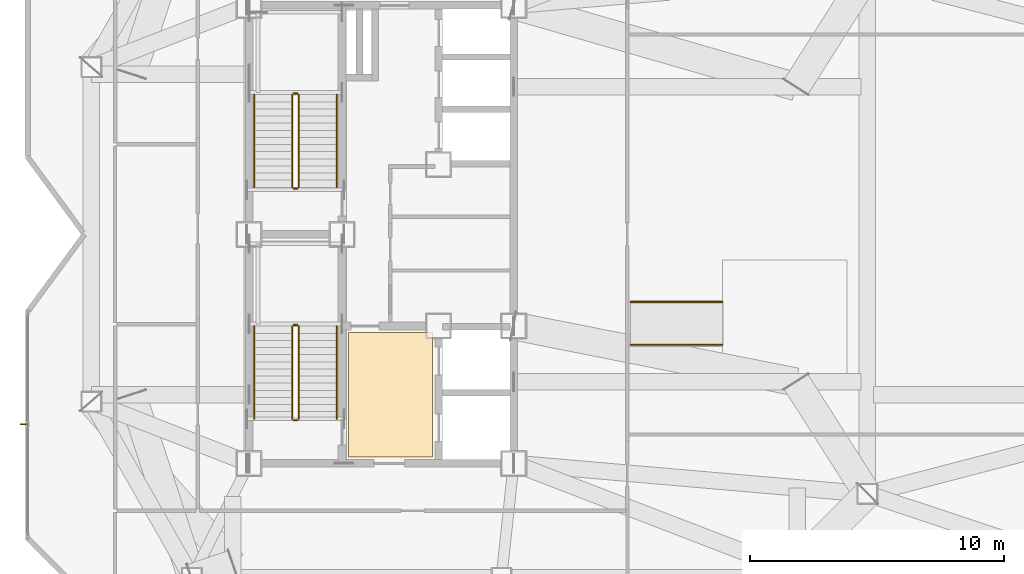
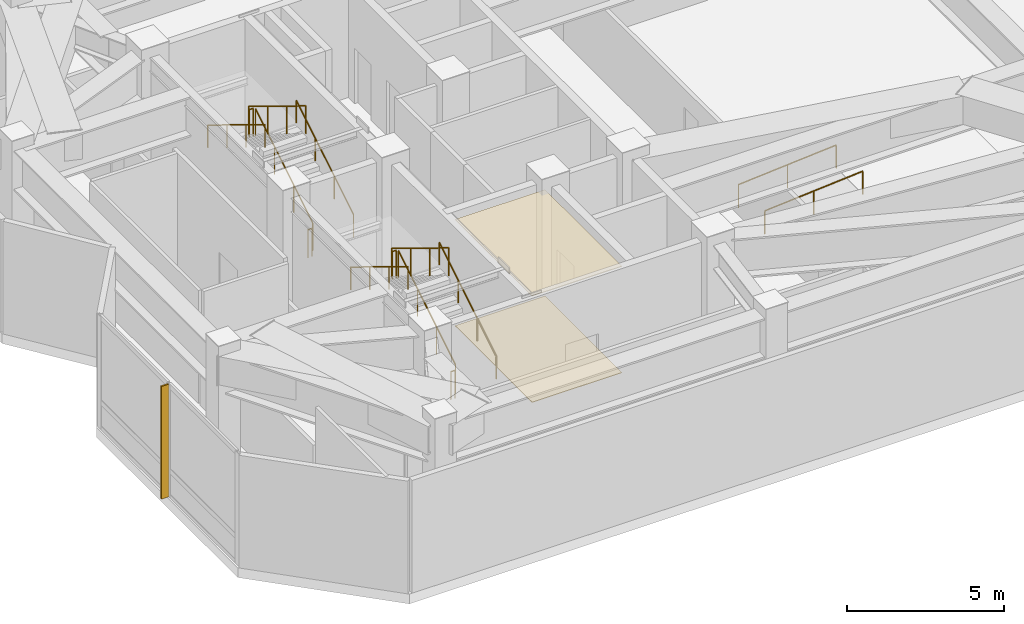
# One storey, part 10 of 11: 14 railings, 2 coverings, 1 shading device.
"""IFC4 building model written with IfcOpenShell, lengths in metres."""

import ifcopenshell
import ifcopenshell.guid

model = None  # the IFC model being written
_history = None  # IfcOwnerHistory: only IFC2X3 demands one
_inside = {}  # id of a spatial element -> (the spatial element, [elements in it])
_under = {}  # id of a project, library or spatial element -> (it, [spatial elements below it])
_declared = {}  # id of a project -> (the project, [libraries it declares])
_typed = {}  # id of a type object -> (the type object, [elements of that type])
_made_of = {}  # id of a material, layer set ... -> (it, [elements and type objects made of it])


def new_model(schema):
    """Start an empty IFC model of exactly this schema.

    Asked for "IFC4X3", IfcOpenShell would pick the latest addendum, in which some entities
    have other attributes; the version numbers below select the first issue.
    IFC2X3 requires an IfcOwnerHistory on every rooted entity: one is made here for all.
    """
    global model, _history
    if schema == "IFC4X3":
        model = ifcopenshell.file(schema_version=(4, 3, 0, 0))
    else:
        model = ifcopenshell.file(schema=schema)
    _inside.clear()
    _under.clear()
    _declared.clear()
    _typed.clear()
    _made_of.clear()
    _history = None
    if model.schema == "IFC2X3":
        org = make("IfcOrganization", Name="unknown")
        user = make(
            "IfcPersonAndOrganization",
            ThePerson=make("IfcPerson", FamilyName="unknown"),
            TheOrganization=org,
        )
        app = make(
            "IfcApplication",
            ApplicationDeveloper=org,
            Version="unknown",
            ApplicationFullName="unknown",
            ApplicationIdentifier="unknown",
        )
        _history = make(
            "IfcOwnerHistory",
            OwningUser=user,
            OwningApplication=app,
            ChangeAction="ADDED",
            CreationDate=0,
        )
    return model


def make(cls, **values):
    """One entity of the class cls with the attributes given. An attribute that is None is left unset."""
    return model.create_entity(
        cls, **{name: value for name, value in values.items() if value is not None}
    )


def rooted(cls, **values):
    """An entity with a GlobalId (a new one), such as an element, a storey or a relation."""
    return make(cls, GlobalId=ifcopenshell.guid.new(), OwnerHistory=_history, **values)


def si_unit(unit_type, name, prefix=None):
    """IfcSIUnit, for example si_unit("LENGTHUNIT", "METRE", prefix="MILLI")."""
    return make("IfcSIUnit", UnitType=unit_type, Prefix=prefix, Name=name)


def assignment(units):
    """IfcUnitAssignment: the units of a project."""
    return None if units is None else make("IfcUnitAssignment", Units=units)


def point(xyz):
    """IfcCartesianPoint."""
    return None if xyz is None else make("IfcCartesianPoint", Coordinates=xyz)


def direction(xyz):
    """IfcDirection."""
    return None if xyz is None else make("IfcDirection", DirectionRatios=xyz)


def frame(location, z_axis=None, x_axis=None):
    """IfcAxis2Placement3D, a coordinate frame: its origin and axes. An axis left out is left unset."""
    return make(
        "IfcAxis2Placement3D",
        Location=point(location),
        Axis=direction(z_axis),
        RefDirection=direction(x_axis),
    )


def frame_2d(location, x_axis=None):
    """IfcAxis2Placement2D, a coordinate frame in the plane: its origin and x axis."""
    return make(
        "IfcAxis2Placement2D", Location=point(location), RefDirection=direction(x_axis)
    )


def origin():
    """The frame at (0, 0, 0) with its axes left unset."""
    return frame((0.0, 0.0, 0.0))


def origin_2d():
    """The frame at (0, 0) in the plane with its x axis left unset."""
    return frame_2d((0.0, 0.0))


def place(relative_to, where):
    """IfcLocalPlacement: puts the frame where relative to a parent placement (None: the world)."""
    return make(
        "IfcLocalPlacement", PlacementRelTo=relative_to, RelativePlacement=where
    )


def context(
    kind, dimensions, precision=None, world=None, true_north=None, identifier=None
):
    """IfcGeometricRepresentationContext, for example the 3D "Model" context."""
    return make(
        "IfcGeometricRepresentationContext",
        ContextIdentifier=identifier,
        ContextType=kind,
        CoordinateSpaceDimension=dimensions,
        Precision=precision,
        WorldCoordinateSystem=world,
        TrueNorth=true_north,
    )


def subcontext(parent, identifier, kind, view, scale=None):
    """IfcGeometricRepresentationSubContext, for example "Body" below "Model"."""
    return make(
        "IfcGeometricRepresentationSubContext",
        ContextIdentifier=identifier,
        ContextType=kind,
        ParentContext=parent,
        TargetScale=scale,
        TargetView=view,
    )


def project(units=None, contexts=None):
    """IfcProject with its units and contexts."""
    return rooted(
        "IfcProject",
        Name="project",
        RepresentationContexts=contexts,
        UnitsInContext=assignment(units),
    )


def spatial(cls, under=None, at=None, **own):
    """A site, building, storey or space (cls), placed at a placement, below another one or the project."""
    s = rooted(cls, ObjectPlacement=at, **own)
    if under is not None:
        _under.setdefault(under.id(), (under, []))[1].append(s)
    return s


def polyline(points):
    """IfcPolyline through the points."""
    return make("IfcPolyline", Points=[point(p) for p in points])


def profile(cls, at=None, kind="AREA", **sizes):
    """A parametric profile (cls). Its sizes go by their IFC names, for example OverallWidth=200.0."""
    return make(cls, ProfileType=kind, Position=at, **sizes)


def rectangle(**sizes):
    """IfcRectangleProfileDef."""
    return profile("IfcRectangleProfileDef", **sizes)


def circle(**sizes):
    """IfcCircleProfileDef."""
    return profile("IfcCircleProfileDef", **sizes)


def outline(outer, holes=None, kind="AREA"):
    """IfcArbitraryClosedProfileDef: a profile drawn as a closed curve; with holes, ...WithVoids."""
    if holes is None:
        return make("IfcArbitraryClosedProfileDef", ProfileType=kind, OuterCurve=outer)
    return make(
        "IfcArbitraryProfileDefWithVoids",
        ProfileType=kind,
        OuterCurve=outer,
        InnerCurves=holes,
    )


def extrude(swept, where, along, depth):
    """IfcExtrudedAreaSolid: the profile swept, set in the frame where, extruded along a direction by depth."""
    return make(
        "IfcExtrudedAreaSolid",
        SweptArea=swept,
        Position=where,
        ExtrudedDirection=direction(along),
        Depth=depth,
    )


def shape(context_of_items, identifier, shape_type, items):
    """IfcShapeRepresentation: the items that make up one representation, for example the "Body"."""
    return make(
        "IfcShapeRepresentation",
        ContextOfItems=context_of_items,
        RepresentationIdentifier=identifier,
        RepresentationType=shape_type,
        Items=items,
    )


def material(Name=None, Category=None):
    """IfcMaterial."""
    return make("IfcMaterial", Name=Name, Category=Category)


def layer(
    of_material, thickness, ventilated=None, Name=None, Category=None, Priority=None
):
    """IfcMaterialLayer: one layer of a wall or slab, of a material (None: an air gap)."""
    return make(
        "IfcMaterialLayer",
        Material=of_material,
        LayerThickness=thickness,
        IsVentilated=ventilated,
        Name=Name,
        Category=Category,
        Priority=Priority,
    )


def layer_set(layers, Name=None):
    """IfcMaterialLayerSet."""
    return make("IfcMaterialLayerSet", MaterialLayers=layers, LayerSetName=Name)


def made_of(thing, what):
    """Note that an element or type object is made of a material, layer set ...; save() writes the relation."""
    if what is not None:
        _made_of.setdefault(what.id(), (what, []))[1].append(thing)
    return thing


def type_object(cls, material=None, **own):
    """A type object (cls), such as IfcWallType, which elements share."""
    return made_of(rooted(cls, **own), material)


def element(
    cls,
    number,
    at=None,
    inside=None,
    cuts=None,
    type_object=None,
    material=None,
    context=None,
    identifier="Body",
    shape_type=None,
    held_by="IfcProductDefinitionShape",
    body=None,
    shapes=None,
    **own,
):
    """One element of the class cls, such as IfcWall. Its Tag is "e" and its number.

    at: its placement. inside: the storey or other place that contains it. cuts: it is an
    opening in that element (IfcRelVoidsElement). A single representation is given by context,
    identifier, shape_type and body (its items); several are given by shapes. held_by: the class
    of the entity that holds the representations. save() writes the other relations.
    """
    e = rooted(cls, Tag="e%d" % number, ObjectPlacement=at, **own)
    if body is not None:
        shapes = [shape(context, identifier, shape_type, body)]
    if shapes is not None:
        e.Representation = make(held_by, Representations=shapes)
    if inside is not None:
        _inside.setdefault(inside.id(), (inside, []))[1].append(e)
    if cuts is not None:
        rooted(
            "IfcRelVoidsElement", RelatingBuildingElement=cuts, RelatedOpeningElement=e
        )
    if type_object is not None:
        _typed.setdefault(type_object.id(), (type_object, []))[1].append(e)
    return made_of(e, material)


def aggregate(whole, parts):
    """IfcRelAggregates: a whole, such as a stair, and the parts it consists of."""
    return rooted("IfcRelAggregates", RelatingObject=whole, RelatedObjects=parts)


def save(model, path):
    """Write the relations noted so far, then the file.

    IfcRelAggregates (storeys below a building ...), IfcRelContainedInSpatialStructure (elements
    in a storey), IfcRelDefinesByType, IfcRelAssociatesMaterial and IfcRelDeclares: one each for
    every whole, place, type object, material and project.
    """
    for whole, parts in _under.values():
        aggregate(whole, parts)
    for where, things in _inside.values():
        rooted(
            "IfcRelContainedInSpatialStructure",
            RelatedElements=things,
            RelatingStructure=where,
        )
    for kind, things in _typed.values():
        rooted("IfcRelDefinesByType", RelatedObjects=things, RelatingType=kind)
    for what, things in _made_of.values():
        rooted("IfcRelAssociatesMaterial", RelatedObjects=things, RelatingMaterial=what)
    for by, libraries in _declared.values():
        rooted("IfcRelDeclares", RelatingContext=by, RelatedDefinitions=libraries)
    model.write(path)


model = new_model("IFC4")

# Units and contexts
model_context = context("Model", 3, precision=1e-05, world=origin(), true_north=direction((0.0, 1.0)))
body_context = subcontext(model_context, "Body", "Model", "MODEL_VIEW")
ifc_project = project(units=[si_unit("LENGTHUNIT", "METRE"), si_unit("AREAUNIT", "SQUARE_METRE"), si_unit("VOLUMEUNIT", "CUBIC_METRE"), si_unit("PLANEANGLEUNIT", "RADIAN"), si_unit("MASSUNIT", "GRAM", prefix="KILO")], contexts=[model_context])

# Site, building, storey
site_placement = place(None, origin())
site = spatial("IfcSite", under=ifc_project, at=site_placement, CompositionType="ELEMENT")
building_placement = place(site_placement, origin())
building = spatial("IfcBuilding", under=site, at=building_placement, Name="Khamvora Tower", CompositionType="ELEMENT")
storey_placement = place(building_placement, frame((0.0, 0.0, 264.64990234375)))
storey = spatial("IfcBuildingStorey", under=building, at=storey_placement, Name="L68", CompositionType="ELEMENT", Elevation=264.64990234375)

# Coverings
ifc_material_1 = material(Name="Perforated Mineral-Fibre Acoustic Ceiling Tile", Category="gypsum")
ifc_layer_1 = layer(ifc_material_1, 0.02490234375)
ifc_layer_set_1 = layer_set([ifc_layer_1], Name="Perforated Mineral-Fibre Acoustic Ceiling Tile")
covering_type_1 = type_object("IfcCoveringType", Name="COV-CEIL-600", PredefinedType="CEILING", material=ifc_layer_set_1)
covering_1_placement = place(storey_placement, frame((0.0, 0.0, 4.130126953125)))
element("IfcCovering", 1, at=covering_1_placement, inside=storey, type_object=covering_type_1, Name="L68 core lobby suspended acoustic ceiling", PredefinedType="CEILING", context=body_context, shape_type="SweptSolid", body=[
    extrude(outline(polyline([(32.89990234375, 19.25), (36.199951171875, 19.25), (36.199951171875, 24.14990234375), (32.89990234375, 24.14990234375), (32.89990234375, 19.25)])), origin(), (0.0, 0.0, 1.0), 0.02490234375),
])
ifc_material_2 = material(Name="Honed Terrazzo Stone Tile", Category="masonry")
ifc_layer_2 = layer(ifc_material_2, 0.02001953125)
ifc_layer_set_2 = layer_set([ifc_layer_2], Name="Honed Terrazzo Stone Tile")
covering_type_2 = type_object("IfcCoveringType", Name="COV-FLOR-20", PredefinedType="FLOORING", material=ifc_layer_set_2)
covering_2_placement = place(storey_placement, origin())
element("IfcCovering", 2, at=covering_2_placement, inside=storey, type_object=covering_type_2, Name="L68 lift lobby terrazzo flooring", PredefinedType="FLOORING", context=body_context, shape_type="SweptSolid", body=[
    extrude(outline(polyline([(32.89990234375, 19.25), (36.199951171875, 19.25), (36.199951171875, 24.14990234375), (32.89990234375, 24.14990234375), (32.89990234375, 19.25)])), origin(), (0.0, 0.0, 1.0), 0.02001953125),
])

# Railings
ifc_material_3 = material(Name="Brushed Stainless Steel 316", Category="steel")
railing_type_1 = type_object("IfcRailingType", Name="RAL-HDR-920", PredefinedType="HANDRAIL", material=ifc_material_3)
railing_1_placement = place(storey_placement, frame((32.449951171875, 20.75, 0.171630859375)))
element("IfcRailing", 3, at=railing_1_placement, inside=storey, type_object=railing_type_1, Name="L68 ST-01 stair handrail 1", PredefinedType="HANDRAIL", context=body_context, shape_type="SweptSolid", body=[
    extrude(circle(Radius=0.02392578125, at=origin_2d()), frame((0.0, 0.0, 0.8759765625), z_axis=(0.0, 0.852850264322, 0.5221555579), x_axis=(-1.0, 0.0, 0.0)), (0.0, 0.0, 1.0), 4.267822265625),
    extrude(circle(Radius=0.02099609375, at=origin_2d()), origin(), (0.0, 0.0, 1.0), 0.851806640625),
    extrude(circle(Radius=0.02099609375, at=origin_2d()), frame((0.0, 1.21337890625, 0.742919921875)), (0.0, 0.0, 1.0), 0.851806640625),
    extrude(circle(Radius=0.02099609375, at=origin_2d()), frame((0.0, 2.426513671875, 1.485595703125)), (0.0, 0.0, 1.0), 0.851806640625),
    extrude(circle(Radius=0.02099609375, at=origin_2d()), frame((0.0, 3.639892578125, 2.228515625)), (0.0, 0.0, 1.0), 0.851806640625),
])
railing_2_placement = place(storey_placement, frame((29.199951171875, 24.389892578125, 2.571533203125)))
element("IfcRailing", 4, at=railing_2_placement, inside=storey, type_object=railing_type_1, Name="L68 ST-01 stair handrail 2", PredefinedType="HANDRAIL", context=body_context, shape_type="SweptSolid", body=[
    extrude(circle(Radius=0.02392578125, at=origin_2d()), frame((0.0, 0.0, 0.8759765625), z_axis=(0.0, -0.852850264322, 0.5221555579), x_axis=(1.0, 0.0, 0.0)), (0.0, 0.0, 1.0), 4.267822265625),
    extrude(circle(Radius=0.02099609375, at=origin_2d()), origin(), (0.0, 0.0, 1.0), 0.851806640625),
    extrude(circle(Radius=0.02099609375, at=origin_2d()), frame((0.0, -1.21337890625, 0.742919921875)), (0.0, 0.0, 1.0), 0.851806640625),
    extrude(circle(Radius=0.02099609375, at=origin_2d()), frame((0.0, -2.426513671875, 1.485595703125)), (0.0, 0.0, 1.0), 0.851806640625),
    extrude(circle(Radius=0.02099609375, at=origin_2d()), frame((0.0, -3.639892578125, 2.228515625)), (0.0, 0.0, 1.0), 0.851806640625),
])
railing_3_placement = place(storey_placement, frame((32.449951171875, 29.85009765625, 0.171630859375)))
element("IfcRailing", 5, at=railing_3_placement, inside=storey, type_object=railing_type_1, Name="L68 ST-02 stair handrail 1", PredefinedType="HANDRAIL", context=body_context, shape_type="SweptSolid", body=[
    extrude(circle(Radius=0.02392578125, at=origin_2d()), frame((0.0, 0.0, 0.8759765625), z_axis=(0.0, 0.852850264322, 0.5221555579), x_axis=(-1.0, 0.0, 0.0)), (0.0, 0.0, 1.0), 4.267822265625),
    extrude(circle(Radius=0.02099609375, at=origin_2d()), origin(), (0.0, 0.0, 1.0), 0.851806640625),
    extrude(circle(Radius=0.02099609375, at=origin_2d()), frame((0.0, 1.21337890625, 0.742919921875)), (0.0, 0.0, 1.0), 0.851806640625),
    extrude(circle(Radius=0.02099609375, at=origin_2d()), frame((0.0, 2.426513671875, 1.485595703125)), (0.0, 0.0, 1.0), 0.851806640625),
    extrude(circle(Radius=0.02099609375, at=origin_2d()), frame((0.0, 3.639892578125, 2.228515625)), (0.0, 0.0, 1.0), 0.851806640625),
])
railing_4_placement = place(storey_placement, frame((29.199951171875, 33.489990234375, 2.571533203125)))
element("IfcRailing", 6, at=railing_4_placement, inside=storey, type_object=railing_type_1, Name="L68 ST-02 stair handrail 2", PredefinedType="HANDRAIL", context=body_context, shape_type="SweptSolid", body=[
    extrude(circle(Radius=0.02392578125, at=origin_2d()), frame((0.0, 0.0, 0.8759765625), z_axis=(0.0, -0.852850264322, 0.5221555579), x_axis=(1.0, 0.0, 0.0)), (0.0, 0.0, 1.0), 4.267822265625),
    extrude(circle(Radius=0.02099609375, at=origin_2d()), origin(), (0.0, 0.0, 1.0), 0.851806640625),
    extrude(circle(Radius=0.02099609375, at=origin_2d()), frame((0.0, -1.21337890625, 0.742919921875)), (0.0, 0.0, 1.0), 0.851806640625),
    extrude(circle(Radius=0.02099609375, at=origin_2d()), frame((0.0, -2.426513671875, 1.485595703125)), (0.0, 0.0, 1.0), 0.851806640625),
    extrude(circle(Radius=0.02099609375, at=origin_2d()), frame((0.0, -3.639892578125, 2.228515625)), (0.0, 0.0, 1.0), 0.851806640625),
])
for number, where, name in (
    (7, (44.0, 23.659912109375, 0.0), "L68 Sky-Pool Accessible Deck Ramp RMP-05 handrail 1"),
    (8, (44.0, 25.340087890625, 0.0), "L68 Sky-Pool Accessible Deck Ramp RMP-05 handrail 2"),
):
    element("IfcRailing", number, at=place(storey_placement, frame(where)), inside=storey, type_object=railing_type_1, Name=name, PredefinedType="HANDRAIL", context=body_context, shape_type="SweptSolid", body=[
        extrude(circle(Radius=0.02392578125, at=origin_2d()), frame((0.0, 0.0, 0.89599609375), z_axis=(0.996988498323, 0.0, 0.077549559716), x_axis=(0.0, 1.0, 0.0)), (0.0, 0.0, 1.0), 3.611083984375),
        extrude(circle(Radius=0.02099609375, at=origin_2d()), origin(), (0.0, 0.0, 1.0), 0.871826171875),
        extrude(circle(Radius=0.02099609375, at=origin_2d()), frame((1.800048828125, 0.0, 0.14013671875)), (0.0, 0.0, 1.0), 0.871826171875),
        extrude(circle(Radius=0.02099609375, at=origin_2d()), frame((3.60009765625, 0.0, 0.280029296875)), (0.0, 0.0, 1.0), 0.871826171875),
    ])
ifc_material_4 = material(Name="Stainless Steel 316", Category="steel")
railing_type_2 = type_object("IfcRailingType", Name="RAL-STG-1100", PredefinedType="GUARDRAIL", material=ifc_material_4)
railing_5_placement = place(storey_placement, frame((30.949951171875, 20.75, 0.171630859375)))
element("IfcRailing", 9, at=railing_5_placement, inside=storey, type_object=railing_type_2, Name="L68 ST-01 stair guard 1", PredefinedType="GUARDRAIL", context=body_context, shape_type="SweptSolid", body=[
    extrude(circle(Radius=0.02392578125, at=origin_2d()), frame((0.0, 0.0, 1.076171875), z_axis=(0.0, 0.852850264322, 0.5221555579), x_axis=(-1.0, 0.0, 0.0)), (0.0, 0.0, 1.0), 4.267822265625),
    extrude(circle(Radius=0.02099609375, at=origin_2d()), origin(), (0.0, 0.0, 1.0), 1.052001953125),
    extrude(circle(Radius=0.02099609375, at=origin_2d()), frame((0.0, 1.21337890625, 0.742919921875)), (0.0, 0.0, 1.0), 1.052001953125),
    extrude(circle(Radius=0.02099609375, at=origin_2d()), frame((0.0, 2.426513671875, 1.485595703125)), (0.0, 0.0, 1.0), 1.052001953125),
    extrude(circle(Radius=0.02099609375, at=origin_2d()), frame((0.0, 3.639892578125, 2.228515625)), (0.0, 0.0, 1.0), 1.052001953125),
])
railing_6_placement = place(storey_placement, frame((30.89990234375, 24.43994140625, 2.400146484375)))
element("IfcRailing", 10, at=railing_6_placement, inside=storey, type_object=railing_type_2, Name="L68 ST-01 stair guard 2", PredefinedType="GUARDRAIL", context=body_context, shape_type="SweptSolid", body=[
    extrude(circle(Radius=0.02392578125, at=origin_2d()), frame((0.0, 0.0, 1.076171875), z_axis=(-1.0, 0.0, 0.0), x_axis=(0.0, -1.0, 0.0)), (0.0, 0.0, 1.0), 0.14990234375),
    extrude(circle(Radius=0.02099609375, at=origin_2d()), origin(), (0.0, 0.0, 1.0), 1.052001953125),
    extrude(circle(Radius=0.02099609375, at=origin_2d()), frame((-0.14990234375, 0.0, 0.0)), (0.0, 0.0, 1.0), 1.052001953125),
])
railing_7_placement = place(storey_placement, frame((30.699951171875, 24.389892578125, 2.571533203125)))
element("IfcRailing", 11, at=railing_7_placement, inside=storey, type_object=railing_type_2, Name="L68 ST-01 stair guard 3", PredefinedType="GUARDRAIL", context=body_context, shape_type="SweptSolid", body=[
    extrude(circle(Radius=0.02392578125, at=origin_2d()), frame((0.0, 0.0, 1.076171875), z_axis=(0.0, -0.852850264322, 0.5221555579), x_axis=(1.0, 0.0, 0.0)), (0.0, 0.0, 1.0), 4.267822265625),
    extrude(circle(Radius=0.02099609375, at=origin_2d()), origin(), (0.0, 0.0, 1.0), 1.052001953125),
    extrude(circle(Radius=0.02099609375, at=origin_2d()), frame((0.0, -1.21337890625, 0.742919921875)), (0.0, 0.0, 1.0), 1.052001953125),
    extrude(circle(Radius=0.02099609375, at=origin_2d()), frame((0.0, -2.426513671875, 1.485595703125)), (0.0, 0.0, 1.0), 1.052001953125),
    extrude(circle(Radius=0.02099609375, at=origin_2d()), frame((0.0, -3.639892578125, 2.228515625)), (0.0, 0.0, 1.0), 1.052001953125),
])
railing_8_placement = place(storey_placement, frame((30.89990234375, 20.699951171875, 0.0)))
element("IfcRailing", 12, at=railing_8_placement, inside=storey, type_object=railing_type_2, Name="L68 ST-01 stair guard 4", PredefinedType="GUARDRAIL", context=body_context, shape_type="SweptSolid", body=[
    extrude(circle(Radius=0.02392578125, at=origin_2d()), frame((0.0, 0.0, 1.076171875), z_axis=(-1.0, 0.0, 0.0), x_axis=(0.0, -1.0, 0.0)), (0.0, 0.0, 1.0), 0.14990234375),
    extrude(circle(Radius=0.02099609375, at=origin_2d()), origin(), (0.0, 0.0, 1.0), 1.052001953125),
    extrude(circle(Radius=0.02099609375, at=origin_2d()), frame((-0.14990234375, 0.0, 0.0)), (0.0, 0.0, 1.0), 1.052001953125),
])
railing_9_placement = place(storey_placement, frame((30.949951171875, 29.85009765625, 0.171630859375)))
element("IfcRailing", 13, at=railing_9_placement, inside=storey, type_object=railing_type_2, Name="L68 ST-02 stair guard 1", PredefinedType="GUARDRAIL", context=body_context, shape_type="SweptSolid", body=[
    extrude(circle(Radius=0.02392578125, at=origin_2d()), frame((0.0, 0.0, 1.076171875), z_axis=(0.0, 0.852850264322, 0.5221555579), x_axis=(-1.0, 0.0, 0.0)), (0.0, 0.0, 1.0), 4.267822265625),
    extrude(circle(Radius=0.02099609375, at=origin_2d()), origin(), (0.0, 0.0, 1.0), 1.052001953125),
    extrude(circle(Radius=0.02099609375, at=origin_2d()), frame((0.0, 1.21337890625, 0.742919921875)), (0.0, 0.0, 1.0), 1.052001953125),
    extrude(circle(Radius=0.02099609375, at=origin_2d()), frame((0.0, 2.426513671875, 1.485595703125)), (0.0, 0.0, 1.0), 1.052001953125),
    extrude(circle(Radius=0.02099609375, at=origin_2d()), frame((0.0, 3.639892578125, 2.228515625)), (0.0, 0.0, 1.0), 1.052001953125),
])
railing_10_placement = place(storey_placement, frame((30.89990234375, 33.5400390625, 2.400146484375)))
element("IfcRailing", 14, at=railing_10_placement, inside=storey, type_object=railing_type_2, Name="L68 ST-02 stair guard 2", PredefinedType="GUARDRAIL", context=body_context, shape_type="SweptSolid", body=[
    extrude(circle(Radius=0.02392578125, at=origin_2d()), frame((0.0, 0.0, 1.076171875), z_axis=(-1.0, 0.0, 0.0), x_axis=(0.0, -1.0, 0.0)), (0.0, 0.0, 1.0), 0.14990234375),
    extrude(circle(Radius=0.02099609375, at=origin_2d()), origin(), (0.0, 0.0, 1.0), 1.052001953125),
    extrude(circle(Radius=0.02099609375, at=origin_2d()), frame((-0.14990234375, 0.0, 0.0)), (0.0, 0.0, 1.0), 1.052001953125),
])
railing_11_placement = place(storey_placement, frame((30.699951171875, 33.489990234375, 2.571533203125)))
element("IfcRailing", 15, at=railing_11_placement, inside=storey, type_object=railing_type_2, Name="L68 ST-02 stair guard 3", PredefinedType="GUARDRAIL", context=body_context, shape_type="SweptSolid", body=[
    extrude(circle(Radius=0.02392578125, at=origin_2d()), frame((0.0, 0.0, 1.076171875), z_axis=(0.0, -0.852850264322, 0.5221555579), x_axis=(1.0, 0.0, 0.0)), (0.0, 0.0, 1.0), 4.267822265625),
    extrude(circle(Radius=0.02099609375, at=origin_2d()), origin(), (0.0, 0.0, 1.0), 1.052001953125),
    extrude(circle(Radius=0.02099609375, at=origin_2d()), frame((0.0, -1.21337890625, 0.742919921875)), (0.0, 0.0, 1.0), 1.052001953125),
    extrude(circle(Radius=0.02099609375, at=origin_2d()), frame((0.0, -2.426513671875, 1.485595703125)), (0.0, 0.0, 1.0), 1.052001953125),
    extrude(circle(Radius=0.02099609375, at=origin_2d()), frame((0.0, -3.639892578125, 2.228515625)), (0.0, 0.0, 1.0), 1.052001953125),
])
railing_12_placement = place(storey_placement, frame((30.89990234375, 29.800048828125, 0.0)))
element("IfcRailing", 16, at=railing_12_placement, inside=storey, type_object=railing_type_2, Name="L68 ST-02 stair guard 4", PredefinedType="GUARDRAIL", context=body_context, shape_type="SweptSolid", body=[
    extrude(circle(Radius=0.02392578125, at=origin_2d()), frame((0.0, 0.0, 1.076171875), z_axis=(-1.0, 0.0, 0.0), x_axis=(0.0, -1.0, 0.0)), (0.0, 0.0, 1.0), 0.14990234375),
    extrude(circle(Radius=0.02099609375, at=origin_2d()), origin(), (0.0, 0.0, 1.0), 1.052001953125),
    extrude(circle(Radius=0.02099609375, at=origin_2d()), frame((-0.14990234375, 0.0, 0.0)), (0.0, 0.0, 1.0), 1.052001953125),
])

# Shading device
ifc_material_5 = material(Name="Pale Anodised Aluminium 6063-T6", Category="aluminium")
shading_device_type = type_object("IfcShadingDeviceType", Name="SHD-FIN-280", PredefinedType="USERDEFINED", material=ifc_material_5)
shading_device_placement = place(storey_placement, frame((20.135009765625, 20.534912109375, 0.000244140625), z_axis=(0.0, 0.0, 1.0), x_axis=(0.0, 1.0, 0.0)))
element("IfcShadingDevice", 17, at=shading_device_placement, inside=storey, type_object=shading_device_type, Name="L68 anodised bronze solar fin 02.01", ObjectType="FIN", PredefinedType="USERDEFINED", context=body_context, shape_type="SweptSolid", body=[
    extrude(rectangle(XDim=0.050048828125, YDim=0.280029296875, at=origin_2d()), origin(), (0.0, 0.0, 1.0), 4.3798828125),
])

save(model, "model.ifc")
